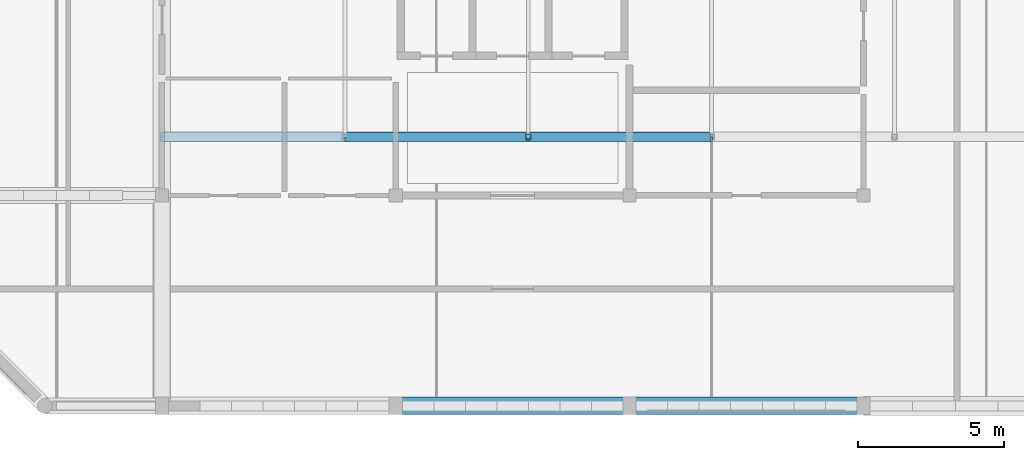
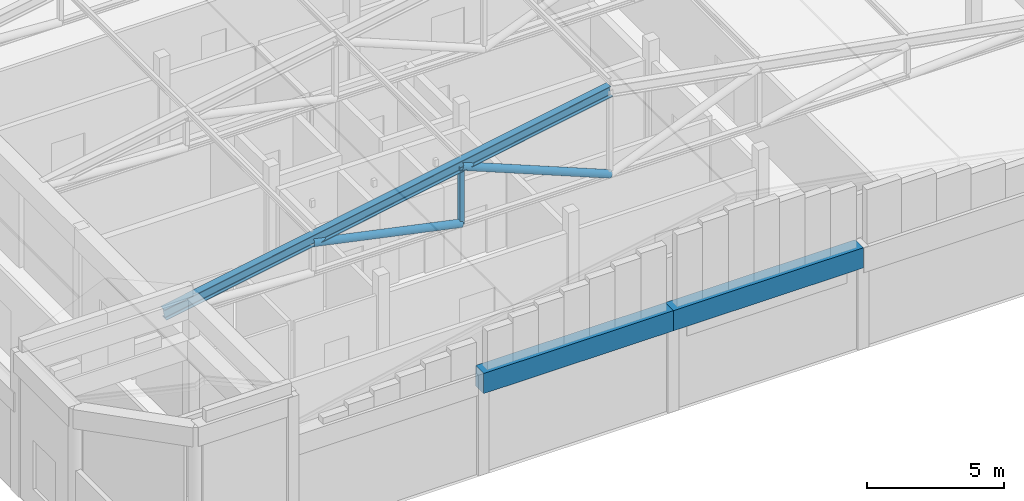
# One storey, part 3 of 24: 4 members, 2 beams.
"""IFC4 building model written with IfcOpenShell, lengths in metres."""

from ifc_helpers import new_model, si_unit, direction, frame, origin, origin_2d, place, context, subcontext, project, spatial, rectangle, hollow_rectangle, hollow_circle, i_section, extrude, material, material_profile, profile_set, type_object, element, save


model = new_model("IFC4")

# Units and contexts
model_context = context("Model", 3, precision=1e-05, world=origin(), true_north=direction((0.0, 1.0)))
body_context = subcontext(model_context, "Body", "Model", "MODEL_VIEW")
ifc_project = project(units=[si_unit("LENGTHUNIT", "METRE"), si_unit("AREAUNIT", "SQUARE_METRE"), si_unit("VOLUMEUNIT", "CUBIC_METRE"), si_unit("PLANEANGLEUNIT", "RADIAN"), si_unit("MASSUNIT", "GRAM", prefix="KILO")], contexts=[model_context])

# Site, building, storey
site_placement = place(None, origin())
site = spatial("IfcSite", under=ifc_project, at=site_placement, CompositionType="ELEMENT")
building_placement = place(site_placement, origin())
building = spatial("IfcBuilding", under=site, at=building_placement, Name="Vellmiral Cinema and Media Centre", CompositionType="ELEMENT")
storey_placement = place(building_placement, frame((0.0, 0.0, 66.60009765625)))
storey = spatial("IfcBuildingStorey", under=building, at=storey_placement, Name="L16", CompositionType="ELEMENT", Elevation=66.60009765625)

# Beams
ifc_material_1 = material(Name="Concrete C40/50", Category="concrete")
ifc_material_profile_1 = material_profile(ifc_material_1, rectangle(XDim=0.60009765625, YDim=0.89990234375, at=origin_2d()), Name="RC 600x900")
ifc_profile_set_1 = profile_set([ifc_material_profile_1], Name="Concrete C40/50")
beam_type = type_object("IfcBeamType", Name="RING-BM-600x900", PredefinedType="BEAM", material=ifc_profile_set_1)
for number, where, z_axis, x_axis, name in (
    (1, (132.0, 72.0, 4.0498046875), (1.0, 0.0, 0.0), (0.0, 1.0, 0.0), "Tower Crown Catalan Barrel Vault Ring Beam 02"),
    (2, (140.0, 72.0, 4.0498046875), (1.0, 0.0, 0.0), (0.0, 1.0, 0.0), "Tower Crown Catalan Barrel Vault Ring Beam 03"),
):
    element("IfcBeam", number, at=place(storey_placement, frame(where, z_axis=z_axis, x_axis=x_axis)), inside=storey, type_object=beam_type, Name=name, PredefinedType="BEAM", context=body_context, shape_type="SweptSolid", body=[
        extrude(rectangle(XDim=0.60009765625, YDim=0.89990234375, at=origin_2d()), origin(), (0.0, 0.0, 1.0), 8.0),
    ])

# Members
ifc_material_2 = material(Name="Steel S355", Category="steel")
ifc_material_profile_2 = material_profile(ifc_material_2, hollow_circle(Radius=0.161865234375, WallThickness=0.012451171875, at=origin_2d()), Name="CHS 323.9x12.5")
ifc_profile_set_2 = profile_set([ifc_material_profile_2], Name="Steel S355")
member_type_1 = type_object("IfcMemberType", Name="TBR-CHS324", PredefinedType="BRACE", material=ifc_profile_set_2)
member_1_placement = place(storey_placement, frame((130.2666015625, 81.199951171875, 5.177978515625), z_axis=(0.978272320026, 0.0, -0.207324064862), x_axis=(0.0, 1.0, 0.0)))
element("IfcMember", 3, at=member_1_placement, inside=storey, type_object=member_type_1, Name="Roof Truss TR-10.1 Diagonal 2", PredefinedType="BRACE", context=body_context, shape_type="SweptSolid", body=[
    extrude(hollow_circle(Radius=0.161865234375, WallThickness=0.012451171875, at=origin_2d()), origin(), (0.0, 0.0, 1.0), 6.406005859375),
])
member_2_placement = place(storey_placement, frame((136.533447265625, 81.199951171875, 6.39599609375), z_axis=(0.926449270601, 0.0, -0.376419644815), x_axis=(0.0, 1.0, 0.0)))
element("IfcMember", 4, at=member_2_placement, inside=storey, type_object=member_type_1, Name="Roof Truss TR-10.1 Diagonal 3", PredefinedType="BRACE", context=body_context, shape_type="SweptSolid", body=[
    extrude(hollow_circle(Radius=0.161865234375, WallThickness=0.012451171875, at=origin_2d()), origin(), (0.0, 0.0, 1.0), 6.76416015625),
])
ifc_material_3 = material(Name="Steel S355", Category="steel")
ifc_material_profile_3 = material_profile(ifc_material_3, hollow_rectangle(XDim=0.179931640625, YDim=0.179931640625, WallThickness=0.010009765625, at=origin_2d()), Name="SHS 180x180x10.0")
ifc_profile_set_3 = profile_set([ifc_material_profile_3], Name="Steel S355")
member_type_2 = type_object("IfcMemberType", Name="TBR-SHS180", PredefinedType="BRACE", material=ifc_profile_set_3)
member_3_placement = place(storey_placement, frame((136.533447265625, 81.199951171875, 3.849853515625), z_axis=(0.0, 0.0, 1.0), x_axis=(1.0, 0.0, 0.0)))
element("IfcMember", 5, at=member_3_placement, inside=storey, type_object=member_type_2, Name="Roof Truss TR-10.1 Post 2", PredefinedType="BRACE", context=body_context, shape_type="SweptSolid", body=[
    extrude(hollow_rectangle(XDim=0.179931640625, YDim=0.179931640625, WallThickness=0.010009765625, at=origin_2d()), origin(), (0.0, 0.0, 1.0), 2.546142578125),
])
ifc_material_4 = material(Name="Steel S355", Category="steel")
ifc_material_profile_4 = material_profile(ifc_material_4, i_section(OverallWidth=0.300048828125, OverallDepth=0.489990234375, WebThickness=0.011962890625, FlangeThickness=0.02294921875, FilletRadius=0.027099609375, at=origin_2d()), Name="HEA 500")
ifc_profile_set_4 = profile_set([ifc_material_profile_4], Name="Steel S355")
member_type_3 = type_object("IfcMemberType", Name="TCH-HEA500", PredefinedType="CHORD", material=ifc_profile_set_4)
member_4_placement = place(storey_placement, frame((124.0, 81.199951171875, 4.224853515625), z_axis=(0.984134042087, 0.0, 0.177426568486), x_axis=(0.0, 1.0, 0.0)))
element("IfcMember", 6, at=member_4_placement, inside=storey, type_object=member_type_3, Name="Roof Truss TR-10.1 Top Chord W", PredefinedType="CHORD", context=body_context, shape_type="SweptSolid", body=[
    extrude(i_section(OverallWidth=0.300048828125, OverallDepth=0.489990234375, WebThickness=0.011962890625, FlangeThickness=0.02294921875, FilletRadius=0.027099609375, at=origin_2d()), origin(), (0.0, 0.0, 1.0), 19.10302734375),
])

save(model, "model.ifc")
